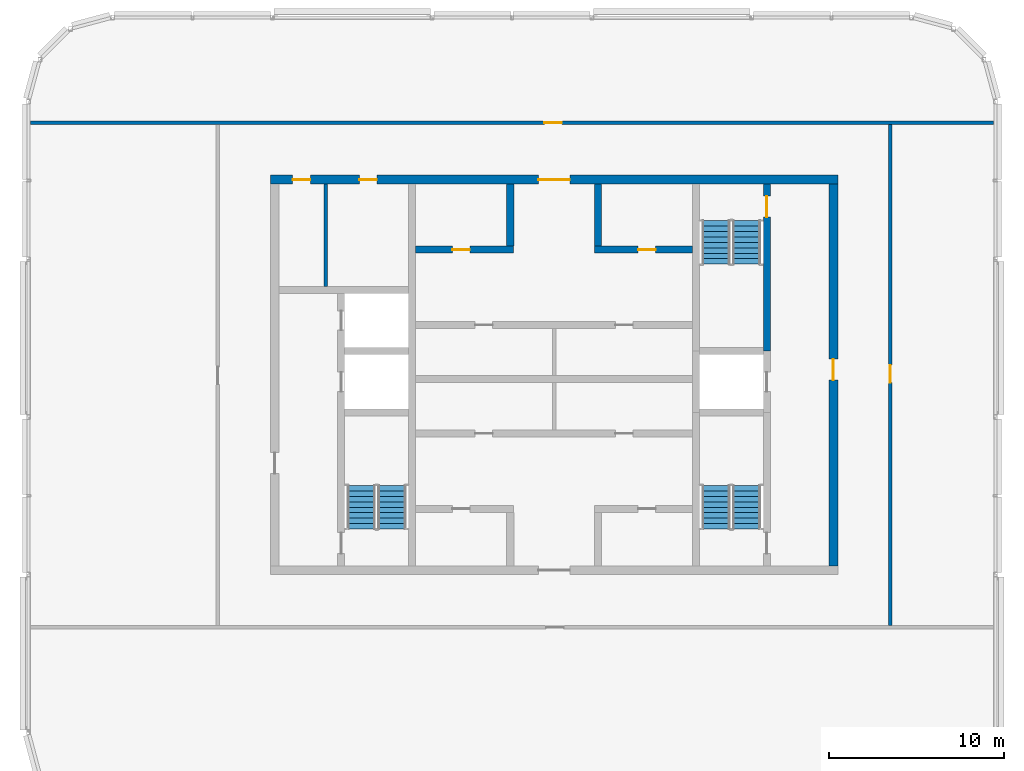
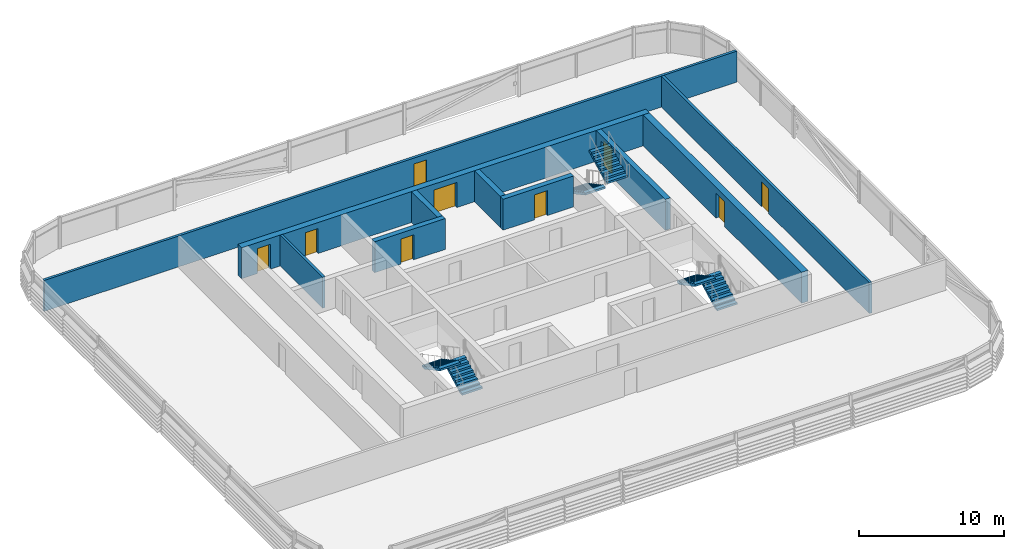
# One storey, part 16 of 27: 10 walls, 9 doors, 6 stair flights, 9 openings, 3 elements without a shape of their own.
"""IFC4 building model written with IfcOpenShell, lengths in metres."""

from ifc_helpers import new_model, si_unit, direction, frame, frame_2d, origin, place, context, subcontext, project, spatial, polyline, rectangle, outline, extrude, material, layer, layer_set, type_object, element, fill, aggregate, save


model = new_model("IFC4")

# Units and contexts
model_context = context("Model", 3, precision=1e-05, world=origin(), true_north=direction((0.0, 1.0)))
body_context = subcontext(model_context, "Body", "Model", "MODEL_VIEW")
ifc_project = project(units=[si_unit("LENGTHUNIT", "METRE"), si_unit("AREAUNIT", "SQUARE_METRE"), si_unit("VOLUMEUNIT", "CUBIC_METRE"), si_unit("PLANEANGLEUNIT", "RADIAN"), si_unit("MASSUNIT", "GRAM", prefix="KILO")], contexts=[model_context])

# Site, building, storey
site_placement = place(None, origin())
site = spatial("IfcSite", under=ifc_project, at=site_placement, CompositionType="ELEMENT")
building_placement = place(site_placement, origin())
building = spatial("IfcBuilding", under=site, at=building_placement, Name="Madar Terraces", CompositionType="ELEMENT")
storey_placement = place(building_placement, frame((0.0, 0.0, 314.300048828125)))
storey = spatial("IfcBuildingStorey", under=building, at=storey_placement, Name="L81", CompositionType="ELEMENT", Elevation=314.300048828125)

# Wall, opening, door
ifc_material_1 = material(Name="Concrete C50/60", Category="concrete")
ifc_layer_1 = layer(ifc_material_1, 0.39990234375)
ifc_layer_set_1 = layer_set([ifc_layer_1], Name="Concrete C50/60 (CIW6 RC wall 400)")
wall_type_1 = type_object("IfcWallType", Name="CIW6 RC wall 400", PredefinedType="SHEAR", material=ifc_layer_set_1)
wall_1_placement = place(storey_placement, frame((43.35009765625, 27.75, 0.0), z_axis=(0.0, 0.0, 1.0), x_axis=(0.0, 1.0, 0.0)))
wall_1 = element("IfcWall", 1, at=wall_1_placement, inside=storey, type_object=wall_type_1, Name="CORE SHAFT WALL", PredefinedType="SHEAR", context=body_context, shape_type="SweptSolid", body=[
    extrude(rectangle(XDim=9.550048828125, YDim=0.39990234375, at=frame_2d((4.77490234375, 0.0))), origin(), (0.0, 0.0, 1.0), 2.599853515625),
])
opening_1_placement = place(wall_1_placement, frame((7.64990234375, 0.0, 0.0)))
opening_1 = element("IfcOpeningElement", 2, at=opening_1_placement, cuts=wall_1, Name="Opening SD1", PredefinedType="OPENING", context=body_context, shape_type="SweptSolid", body=[
    extrude(rectangle(XDim=1.199951171875, YDim=2.10009765625, at=frame_2d((0.60009765625, 1.050048828125))), frame((0.0, 0.2099609375, 0.0), z_axis=(0.0, -1.0, 0.0), x_axis=(1.0, 0.0, 0.0)), (0.0, 0.0, 1.0), 0.419921875),
])
ifc_material_2 = material(Name="Steel door leaf", Category="steel")
door_type_1 = type_object("IfcDoorType", Name="Stair door 1200 x 2100", OperationType="NOTDEFINED", PredefinedType="DOOR", material=ifc_material_2)
door_1_placement = place(opening_1_placement, origin())
door_1 = element("IfcDoor", 3, at=door_1_placement, inside=storey, type_object=door_type_1, Name="STAIR DOOR", OperationType="SINGLE_SWING_LEFT", OverallHeight=2.10009765625, OverallWidth=1.199951171875, PredefinedType="DOOR", context=body_context, shape_type="SweptSolid", body=[
    extrude(rectangle(XDim=1.199951171875, YDim=2.10009765625, at=frame_2d((0.60009765625, 1.050048828125))), frame((0.0, 0.02490234375, 0.0), z_axis=(0.0, -1.0, 0.0), x_axis=(1.0, 0.0, 0.0)), (0.0, 0.0, 1.0), 0.050048828125),
])
fill(opening_1, door_1)

wall_2_placement = place(storey_placement, frame((23.300048828125, 33.550048828125, 0.0), z_axis=(0.0, 0.0, 1.0), x_axis=(1.0, 0.0, 0.0)))
wall_2 = element("IfcWall", 4, at=wall_2_placement, inside=storey, type_object=wall_type_1, Name="CORE SHAFT WALL", PredefinedType="SHEAR", context=body_context, shape_type="SweptSolid", body=[
    extrude(rectangle(XDim=5.599853515625, YDim=0.39990234375, at=frame_2d((2.7998046875, 0.0))), origin(), (0.0, 0.0, 1.0), 2.599853515625),
])
opening_2_placement = place(wall_2_placement, frame((2.10009765625, 0.0, 0.0)))
opening_2 = element("IfcOpeningElement", 5, at=opening_2_placement, cuts=wall_2, Name="Opening KD2", PredefinedType="OPENING", context=body_context, shape_type="SweptSolid", body=[
    extrude(rectangle(XDim=1.0, YDim=2.10009765625, at=frame_2d((0.5, 1.050048828125))), frame((0.0, 0.2099609375, 0.0), z_axis=(0.0, -1.0, 0.0), x_axis=(1.0, 0.0, 0.0)), (0.0, 0.0, 1.0), 0.419921875),
])
ifc_material_3 = material(Name="Steel door leaf", Category="steel")
door_type_2 = type_object("IfcDoorType", Name="Service room door 1000 x 2100", OperationType="NOTDEFINED", PredefinedType="DOOR", material=ifc_material_3)
door_2_placement = place(opening_2_placement, frame((1.0, 0.0, 0.0), z_axis=(0.0, 0.0, 1.0), x_axis=(-1.0, 0.0, 0.0)))
door_2 = element("IfcDoor", 6, at=door_2_placement, inside=storey, type_object=door_type_2, Name="SERVICE ROOM DOOR", OperationType="SINGLE_SWING_RIGHT", OverallHeight=2.10009765625, OverallWidth=1.0, PredefinedType="DOOR", context=body_context, shape_type="SweptSolid", body=[
    extrude(rectangle(XDim=1.0, YDim=2.10009765625, at=frame_2d((0.5, 1.050048828125))), frame((0.0, 0.02490234375, 0.0), z_axis=(0.0, -1.0, 0.0), x_axis=(1.0, 0.0, 0.0)), (0.0, 0.0, 1.0), 0.050048828125),
])
fill(opening_2, door_2)

wall_3_placement = place(storey_placement, frame((33.5, 33.550048828125, 0.0), z_axis=(0.0, 0.0, 1.0), x_axis=(1.0, 0.0, 0.0)))
wall_3 = element("IfcWall", 7, at=wall_3_placement, inside=storey, type_object=wall_type_1, Name="CORE SHAFT WALL", PredefinedType="SHEAR", context=body_context, shape_type="SweptSolid", body=[
    extrude(rectangle(XDim=5.60009765625, YDim=0.39990234375, at=frame_2d((2.800048828125, 0.0))), origin(), (0.0, 0.0, 1.0), 2.599853515625),
])
opening_3_placement = place(wall_3_placement, frame((2.5, 0.0, 0.0)))
opening_3 = element("IfcOpeningElement", 8, at=opening_3_placement, cuts=wall_3, Name="Opening KD2", PredefinedType="OPENING", context=body_context, shape_type="SweptSolid", body=[
    extrude(rectangle(XDim=1.0, YDim=2.10009765625, at=frame_2d((0.5, 1.050048828125))), frame((0.0, 0.2099609375, 0.0), z_axis=(0.0, -1.0, 0.0), x_axis=(1.0, 0.0, 0.0)), (0.0, 0.0, 1.0), 0.419921875),
])
door_3_placement = place(opening_3_placement, frame((1.0, 0.0, 0.0), z_axis=(0.0, 0.0, 1.0), x_axis=(-1.0, 0.0, 0.0)))
door_3 = element("IfcDoor", 9, at=door_3_placement, inside=storey, type_object=door_type_2, Name="SERVICE ROOM DOOR", OperationType="SINGLE_SWING_LEFT", OverallHeight=2.10009765625, OverallWidth=1.0, PredefinedType="DOOR", context=body_context, shape_type="SweptSolid", body=[
    extrude(rectangle(XDim=1.0, YDim=2.10009765625, at=frame_2d((0.5, 1.050048828125))), frame((0.0, 0.02490234375, 0.0), z_axis=(0.0, -1.0, 0.0), x_axis=(1.0, 0.0, 0.0)), (0.0, 0.0, 1.0), 0.050048828125),
])
fill(opening_3, door_3)

# Walls
for number, where, z_axis, x_axis, name in (
    (10, (28.699951171875, 33.75, 0.0), (0.0, 0.0, 1.0), (0.0, 1.0, 0.0), "CORE SHAFT WALL"),
    (11, (33.699951171875, 33.75, 0.0), (0.0, 0.0, 1.0), (0.0, 1.0, 0.0), "CORE SHAFT WALL"),
):
    element("IfcWall", number, at=place(storey_placement, frame(where, z_axis=z_axis, x_axis=x_axis)), inside=storey, type_object=wall_type_1, Name=name, PredefinedType="SHEAR", context=body_context, shape_type="SweptSolid", body=[
        extrude(rectangle(XDim=3.550048828125, YDim=0.39990234375, at=frame_2d((1.77490234375, 0.0))), origin(), (0.0, 0.0, 1.0), 2.599853515625),
    ])

# Wall, openings, doors
ifc_material_4 = material(Name="Concrete C50/60", Category="concrete")
ifc_layer_2 = layer(ifc_material_4, 0.5)
ifc_layer_set_2 = layer_set([ifc_layer_2], Name="Concrete C50/60 (CRW6 RC wall 500)")
wall_type_2 = type_object("IfcWallType", Name="CRW6 RC wall 500", PredefinedType="SHEAR", material=ifc_layer_set_2)
wall_4_placement = place(storey_placement, frame((15.0, 37.550048828125, 0.0), z_axis=(0.0, 0.0, 1.0), x_axis=(1.0, 0.0, 0.0)))
wall_4 = element("IfcWall", 12, at=wall_4_placement, inside=storey, type_object=wall_type_2, Name="CORE OUTER WALL", PredefinedType="SHEAR", context=body_context, shape_type="SweptSolid", body=[
    extrude(rectangle(XDim=32.39990234375, YDim=0.5, at=frame_2d((16.199951171875, 0.0))), origin(), (0.0, 0.0, 1.0), 2.599853515625),
])
opening_4_placement = place(wall_4_placement, frame((15.300048828125, 0.0, 0.0)))
opening_4 = element("IfcOpeningElement", 13, at=opening_4_placement, cuts=wall_4, Name="Opening KD1", PredefinedType="OPENING", context=body_context, shape_type="SweptSolid", body=[
    extrude(rectangle(XDim=1.800048828125, YDim=2.10009765625, at=frame_2d((0.89990234375, 1.050048828125))), frame((0.0, 0.260009765625, 0.0), z_axis=(0.0, -1.0, 0.0), x_axis=(1.0, 0.0, 0.0)), (0.0, 0.0, 1.0), 0.52001953125),
])
opening_5_placement = place(wall_4_placement, frame((1.281982421875, 0.0, 0.0)))
opening_5 = element("IfcOpeningElement", 14, at=opening_5_placement, cuts=wall_4, Name="Opening KD2", PredefinedType="OPENING", context=body_context, shape_type="SweptSolid", body=[
    extrude(rectangle(XDim=1.0, YDim=2.10009765625, at=frame_2d((0.5, 1.050048828125))), frame((0.0, 0.260009765625, 0.0), z_axis=(0.0, -1.0, 0.0), x_axis=(1.0, 0.0, 0.0)), (0.0, 0.0, 1.0), 0.52001953125),
])
opening_6_placement = place(wall_4_placement, frame((5.08203125, 0.0, 0.0)))
opening_6 = element("IfcOpeningElement", 15, at=opening_6_placement, cuts=wall_4, Name="Opening KD2", PredefinedType="OPENING", context=body_context, shape_type="SweptSolid", body=[
    extrude(rectangle(XDim=1.0, YDim=2.10009765625, at=frame_2d((0.5, 1.050048828125))), frame((0.0, 0.260009765625, 0.0), z_axis=(0.0, -1.0, 0.0), x_axis=(1.0, 0.0, 0.0)), (0.0, 0.0, 1.0), 0.52001953125),
])
ifc_material_5 = material(Name="Steel door leaf", Category="steel")
door_type_3 = type_object("IfcDoorType", Name="Lobby door pair 1800 x 2100", OperationType="DOUBLE_DOOR_SINGLE_SWING", PredefinedType="DOOR", material=ifc_material_5)
door_4_placement = place(opening_4_placement, origin())
door_4 = element("IfcDoor", 16, at=door_4_placement, inside=storey, type_object=door_type_3, Name="LIFT LOBBY DOOR", OperationType="DOUBLE_DOOR_SINGLE_SWING", OverallHeight=2.10009765625, OverallWidth=1.800048828125, PredefinedType="DOOR", context=body_context, shape_type="SweptSolid", body=[
    extrude(rectangle(XDim=1.800048828125, YDim=2.10009765625, at=frame_2d((0.89990234375, 1.050048828125))), frame((0.0, 0.02490234375, 0.0), z_axis=(0.0, -1.0, 0.0), x_axis=(1.0, 0.0, 0.0)), (0.0, 0.0, 1.0), 0.050048828125),
])
fill(opening_4, door_4)
door_5_placement = place(opening_5_placement, origin())
door_5 = element("IfcDoor", 17, at=door_5_placement, inside=storey, type_object=door_type_2, Name="SERVICE ROOM DOOR", OperationType="SINGLE_SWING_RIGHT", OverallHeight=2.10009765625, OverallWidth=1.0, PredefinedType="DOOR", context=body_context, shape_type="SweptSolid", body=[
    extrude(rectangle(XDim=1.0, YDim=2.10009765625, at=frame_2d((0.5, 1.050048828125))), frame((0.0, 0.02490234375, 0.0), z_axis=(0.0, -1.0, 0.0), x_axis=(1.0, 0.0, 0.0)), (0.0, 0.0, 1.0), 0.050048828125),
])
fill(opening_5, door_5)
door_6_placement = place(opening_6_placement, origin())
door_6 = element("IfcDoor", 18, at=door_6_placement, inside=storey, type_object=door_type_2, Name="SERVICE ROOM DOOR", OperationType="SINGLE_SWING_LEFT", OverallHeight=2.10009765625, OverallWidth=1.0, PredefinedType="DOOR", context=body_context, shape_type="SweptSolid", body=[
    extrude(rectangle(XDim=1.0, YDim=2.10009765625, at=frame_2d((0.5, 1.050048828125))), frame((0.0, 0.02490234375, 0.0), z_axis=(0.0, -1.0, 0.0), x_axis=(1.0, 0.0, 0.0)), (0.0, 0.0, 1.0), 0.050048828125),
])
fill(opening_6, door_6)

# Wall, opening, door
wall_5_placement = place(storey_placement, frame((47.14990234375, 15.5, 0.0), z_axis=(0.0, 0.0, 1.0), x_axis=(0.0, 1.0, 0.0)))
wall_5 = element("IfcWall", 19, at=wall_5_placement, inside=storey, type_object=wall_type_2, Name="CORE OUTER WALL", PredefinedType="SHEAR", context=body_context, shape_type="SweptSolid", body=[
    extrude(rectangle(XDim=21.800048828125, YDim=0.5, at=frame_2d((10.89990234375, 0.0))), origin(), (0.0, 0.0, 1.0), 2.599853515625),
])
opening_7_placement = place(wall_5_placement, frame((10.60009765625, 0.0, 0.0)))
opening_7 = element("IfcOpeningElement", 20, at=opening_7_placement, cuts=wall_5, Name="Opening SD1", PredefinedType="OPENING", context=body_context, shape_type="SweptSolid", body=[
    extrude(rectangle(XDim=1.199951171875, YDim=2.10009765625, at=frame_2d((0.60009765625, 1.050048828125))), frame((0.0, 0.260009765625, 0.0), z_axis=(0.0, -1.0, 0.0), x_axis=(1.0, 0.0, 0.0)), (0.0, 0.0, 1.0), 0.52001953125),
])
door_7_placement = place(opening_7_placement, origin())
door_7 = element("IfcDoor", 21, at=door_7_placement, inside=storey, type_object=door_type_1, Name="STAIR DOOR", OperationType="SINGLE_SWING_LEFT", OverallHeight=2.10009765625, OverallWidth=1.199951171875, PredefinedType="DOOR", context=body_context, shape_type="SweptSolid", body=[
    extrude(rectangle(XDim=1.199951171875, YDim=2.10009765625, at=frame_2d((0.60009765625, 1.050048828125))), frame((0.0, 0.02490234375, 0.0), z_axis=(0.0, -1.0, 0.0), x_axis=(1.0, 0.0, 0.0)), (0.0, 0.0, 1.0), 0.050048828125),
])
fill(opening_7, door_7)

# Wall
ifc_material_6 = material(Name="Masonry blockwork", Category="masonry")
ifc_layer_3 = layer(ifc_material_6, 0.199951171875)
ifc_layer_set_3 = layer_set([ifc_layer_3], Name="Core partition 200 blockwork")
wall_type_3 = type_object("IfcWallType", Name="Core partition 200 blockwork", PredefinedType="PARTITIONING", material=ifc_layer_set_3)
wall_6_placement = place(storey_placement, frame((18.1640625, 31.449951171875, 0.0), z_axis=(0.0, 0.0, 1.0), x_axis=(0.0, 1.0, 0.0)))
element("IfcWall", 22, at=wall_6_placement, inside=storey, type_object=wall_type_3, Name="SERVICE ROOM PARTITION", PredefinedType="PARTITIONING", context=body_context, shape_type="SweptSolid", body=[
    extrude(rectangle(XDim=5.85009765625, YDim=0.199951171875, at=frame_2d((2.925048828125, 0.0))), origin(), (0.0, 0.0, 1.0), 2.599853515625),
])

# Wall, opening, door
ifc_material_7 = material(Name="Blockwork", Category="masonry")
ifc_layer_4 = layer(ifc_material_7, 0.199951171875)
ifc_layer_set_4 = layer_set([ifc_layer_4], Name="Partition 200 EI 120")
wall_type_4 = type_object("IfcWallType", Name="Partition 200 EI 120", PredefinedType="PARTITIONING", material=ifc_layer_set_4)
wall_7_placement = place(storey_placement, frame((1.300048828125, 40.800048828125, 0.0), z_axis=(0.0, 0.0, 1.0), x_axis=(1.0, 0.0, 0.0)))
wall_7 = element("IfcWall", 23, at=wall_7_placement, inside=storey, type_object=wall_type_4, Name="Wall COOLING PLANT ROOM", PredefinedType="PARTITIONING", context=body_context, shape_type="SweptSolid", body=[
    extrude(rectangle(XDim=55.0, YDim=0.199951171875, at=frame_2d((27.5, 0.0))), origin(), (0.0, 0.0, 1.0), 2.599853515625),
])
opening_8_placement = place(wall_7_placement, frame((29.35009765625, 0.0, 0.0)))
opening_8 = element("IfcOpeningElement", 24, at=opening_8_placement, cuts=wall_7, Name="Opening D33", PredefinedType="OPENING", context=body_context, shape_type="SweptSolid", body=[
    extrude(rectangle(XDim=1.0, YDim=2.10009765625, at=frame_2d((0.5, 1.050048828125))), frame((0.0, 0.10986328125, 0.0), z_axis=(0.0, -1.0, 0.0), x_axis=(1.0, 0.0, 0.0)), (0.0, 0.0, 1.0), 0.219970703125),
])
ifc_material_8 = material(Name="Timber door leaf, fire-rated", Category="wood")
door_type_4 = type_object("IfcDoorType", Name="Podium door 1000 x 2100 FD90S", OperationType="NOTDEFINED", PredefinedType="DOOR", material=ifc_material_8)
door_8_placement = place(opening_8_placement, origin())
door_8 = element("IfcDoor", 25, at=door_8_placement, inside=storey, type_object=door_type_4, Name="Door COOLING PLANT ROOM / RING CORRIDOR", OperationType="SINGLE_SWING_LEFT", OverallHeight=2.10009765625, OverallWidth=1.0, PredefinedType="DOOR", context=body_context, shape_type="SweptSolid", body=[
    extrude(rectangle(XDim=1.0, YDim=2.10009765625, at=frame_2d((0.5, 1.050048828125))), frame((0.0, 0.02490234375, 0.0), z_axis=(0.0, -1.0, 0.0), x_axis=(1.0, 0.0, 0.0)), (0.0, 0.0, 1.0), 0.050048828125),
])
fill(opening_8, door_8)

wall_8_placement = place(storey_placement, frame((50.39990234375, 40.699951171875, 0.0), z_axis=(0.0, 0.0, 1.0), x_axis=(0.0, -1.0, 0.0)))
wall_8 = element("IfcWall", 26, at=wall_8_placement, inside=storey, type_object=wall_type_4, Name="Wall STORE PLANT ROOM / RING CORRIDOR", PredefinedType="PARTITIONING", context=body_context, shape_type="SweptSolid", body=[
    extrude(rectangle(XDim=28.599853515625, YDim=0.199951171875, at=frame_2d((14.2998046875, 0.0))), origin(), (0.0, 0.0, 1.0), 2.599853515625),
])
opening_9_placement = place(wall_8_placement, frame((13.75, 0.0, 0.0)))
opening_9 = element("IfcOpeningElement", 27, at=opening_9_placement, cuts=wall_8, Name="Opening D33", PredefinedType="OPENING", context=body_context, shape_type="SweptSolid", body=[
    extrude(rectangle(XDim=1.0, YDim=2.10009765625, at=frame_2d((0.5, 1.050048828125))), frame((0.0, 0.10986328125, 0.0), z_axis=(0.0, -1.0, 0.0), x_axis=(1.0, 0.0, 0.0)), (0.0, 0.0, 1.0), 0.219970703125),
])
door_9_placement = place(opening_9_placement, origin())
door_9 = element("IfcDoor", 28, at=door_9_placement, inside=storey, type_object=door_type_4, Name="Door STORE PLANT ROOM / RING CORRIDOR", OperationType="SINGLE_SWING_LEFT", OverallHeight=2.10009765625, OverallWidth=1.0, PredefinedType="DOOR", context=body_context, shape_type="SweptSolid", body=[
    extrude(rectangle(XDim=1.0, YDim=2.10009765625, at=frame_2d((0.5, 1.050048828125))), frame((0.0, 0.02490234375, 0.0), z_axis=(0.0, -1.0, 0.0), x_axis=(1.0, 0.0, 0.0)), (0.0, 0.0, 1.0), 0.050048828125),
])
fill(opening_9, door_9)

# Stair, stair flights
ifc_material_9 = material(Name="Concrete C50/60", Category="concrete")
stair_type_1 = type_object("IfcStairType", Name="Stair ST1 protected exit", PredefinedType="HALF_TURN_STAIR", material=ifc_material_9)
stair_1_placement = place(storey_placement, origin())
stair_1 = element("IfcStair", 29, at=stair_1_placement, inside=storey, type_object=stair_type_1, Name="L81 Protected Exit Stair ST1", PredefinedType="HALF_TURN_STAIR")
ifc_material_10 = material(Name="Concrete C50/60", Category="concrete")
stair_flight_type_1 = type_object("IfcStairFlightType", Name="Stair flight ST1-F1, 1600 wide, 9 risers", PredefinedType="STRAIGHT", material=ifc_material_10)
stair_flight_1_placement = place(storey_placement, frame((21.949951171875, 17.60009765625, 0.0), z_axis=(0.0, 0.0, 1.0), x_axis=(0.0, 1.0, 0.0)))
stair_flight_1 = element("IfcStairFlight", 30, at=stair_flight_1_placement, type_object=stair_flight_type_1, Name="ST1 flight 1", NumberOfRisers=9, NumberOfTreads=8, PredefinedType="STRAIGHT", RiserHeight=0.166666667, TreadLength=0.31, context=body_context, shape_type="SweptSolid", body=[
    extrude(outline(polyline([(0.0, 0.0), (0.0, 0.166748046875), (0.31005859375, 0.166748046875), (0.31005859375, 0.333251953125), (0.6201171875, 0.333251953125), (0.6201171875, 0.5), (0.929931640625, 0.5), (0.929931640625, 0.666748046875), (1.239990234375, 0.666748046875), (1.239990234375, 0.833251953125), (1.550048828125, 0.833251953125), (1.550048828125, 1.0), (1.860107421875, 1.0), (1.860107421875, 1.166748046875), (2.169921875, 1.166748046875), (2.169921875, 1.333251953125), (2.47998046875, 1.333251953125), (2.47998046875, 1.5), (2.47998046875, 1.1630859375), (0.316650390625, 0.0), (0.0, 0.0)])), frame((0.0, 0.800048828125, 0.0), z_axis=(0.0, -1.0, 0.0), x_axis=(1.0, 0.0, 0.0)), (0.0, 0.0, 1.0), 1.60009765625),
])
stair_flight_2_placement = place(storey_placement, frame((20.199951171875, 20.080078125, 1.5), z_axis=(0.0, 0.0, 1.0), x_axis=(0.0, -1.0, 0.0)))
stair_flight_2 = element("IfcStairFlight", 31, at=stair_flight_2_placement, type_object=stair_flight_type_1, Name="ST1 flight 2", NumberOfRisers=9, NumberOfTreads=8, PredefinedType="STRAIGHT", RiserHeight=0.166666667, TreadLength=0.31, context=body_context, shape_type="SweptSolid", body=[
    extrude(outline(polyline([(0.0, 0.0), (0.0, 0.166748046875), (0.31005859375, 0.166748046875), (0.31005859375, 0.333251953125), (0.6201171875, 0.333251953125), (0.6201171875, 0.5), (0.929931640625, 0.5), (0.929931640625, 0.666748046875), (1.239990234375, 0.666748046875), (1.239990234375, 0.833251953125), (1.550048828125, 0.833251953125), (1.550048828125, 1.0), (1.860107421875, 1.0), (1.860107421875, 1.166748046875), (2.169921875, 1.166748046875), (2.169921875, 1.333251953125), (2.47998046875, 1.333251953125), (2.47998046875, 1.5), (2.47998046875, 1.1630859375), (0.316650390625, 0.0), (0.0, 0.0)])), frame((0.0, 0.800048828125, 0.0), z_axis=(0.0, -1.0, 0.0), x_axis=(1.0, 0.0, 0.0)), (0.0, 0.0, 1.0), 1.60009765625),
])
aggregate(stair_1, [stair_flight_1, stair_flight_2])

ifc_material_11 = material(Name="Concrete C50/60", Category="concrete")
stair_type_2 = type_object("IfcStairType", Name="Stair ST2 protected exit", PredefinedType="HALF_TURN_STAIR", material=ifc_material_11)
stair_2_placement = place(storey_placement, origin())
stair_2 = element("IfcStair", 32, at=stair_2_placement, inside=storey, type_object=stair_type_2, Name="L81 Protected Exit Stair ST2", PredefinedType="HALF_TURN_STAIR")
ifc_material_12 = material(Name="Concrete C50/60", Category="concrete")
stair_flight_type_2 = type_object("IfcStairFlightType", Name="Stair flight ST2-F7, 1600 wide, 9 risers", PredefinedType="STRAIGHT", material=ifc_material_12)
stair_flight_3_placement = place(storey_placement, frame((40.449951171875, 35.199951171875, 0.0), z_axis=(0.0, 0.0, 1.0), x_axis=(0.0, -1.0, 0.0)))
stair_flight_3 = element("IfcStairFlight", 33, at=stair_flight_3_placement, type_object=stair_flight_type_2, Name="ST2 flight 1", NumberOfRisers=9, NumberOfTreads=8, PredefinedType="STRAIGHT", RiserHeight=0.166666667, TreadLength=0.31, context=body_context, shape_type="SweptSolid", body=[
    extrude(outline(polyline([(0.0, 0.0), (0.0, 0.166748046875), (0.31005859375, 0.166748046875), (0.31005859375, 0.333251953125), (0.6201171875, 0.333251953125), (0.6201171875, 0.5), (0.929931640625, 0.5), (0.929931640625, 0.666748046875), (1.239990234375, 0.666748046875), (1.239990234375, 0.833251953125), (1.550048828125, 0.833251953125), (1.550048828125, 1.0), (1.860107421875, 1.0), (1.860107421875, 1.166748046875), (2.169921875, 1.166748046875), (2.169921875, 1.333251953125), (2.47998046875, 1.333251953125), (2.47998046875, 1.5), (2.47998046875, 1.1630859375), (0.316650390625, 0.0), (0.0, 0.0)])), frame((0.0, 0.800048828125, 0.0), z_axis=(0.0, -1.0, 0.0), x_axis=(1.0, 0.0, 0.0)), (0.0, 0.0, 1.0), 1.60009765625),
])
stair_flight_4_placement = place(storey_placement, frame((42.199951171875, 32.719970703125, 1.5), z_axis=(0.0, 0.0, 1.0), x_axis=(0.0, 1.0, 0.0)))
stair_flight_4 = element("IfcStairFlight", 34, at=stair_flight_4_placement, type_object=stair_flight_type_2, Name="ST2 flight 2", NumberOfRisers=9, NumberOfTreads=8, PredefinedType="STRAIGHT", RiserHeight=0.166666667, TreadLength=0.31, context=body_context, shape_type="SweptSolid", body=[
    extrude(outline(polyline([(0.0, 0.0), (0.0, 0.166748046875), (0.31005859375, 0.166748046875), (0.31005859375, 0.333251953125), (0.6201171875, 0.333251953125), (0.6201171875, 0.5), (0.929931640625, 0.5), (0.929931640625, 0.666748046875), (1.239990234375, 0.666748046875), (1.239990234375, 0.833251953125), (1.550048828125, 0.833251953125), (1.550048828125, 1.0), (1.860107421875, 1.0), (1.860107421875, 1.166748046875), (2.169921875, 1.166748046875), (2.169921875, 1.333251953125), (2.47998046875, 1.333251953125), (2.47998046875, 1.5), (2.47998046875, 1.1630859375), (0.316650390625, 0.0), (0.0, 0.0)])), frame((0.0, 0.800048828125, 0.0), z_axis=(0.0, -1.0, 0.0), x_axis=(1.0, 0.0, 0.0)), (0.0, 0.0, 1.0), 1.60009765625),
])
aggregate(stair_2, [stair_flight_3, stair_flight_4])

ifc_material_13 = material(Name="Concrete C50/60", Category="concrete")
stair_type_3 = type_object("IfcStairType", Name="Stair ST3 protected exit", PredefinedType="HALF_TURN_STAIR", material=ifc_material_13)
stair_3_placement = place(storey_placement, origin())
stair_3 = element("IfcStair", 35, at=stair_3_placement, inside=storey, type_object=stair_type_3, Name="L81 Protected Exit Stair ST3", PredefinedType="HALF_TURN_STAIR")
ifc_material_14 = material(Name="Concrete C50/60", Category="concrete")
stair_flight_type_3 = type_object("IfcStairFlightType", Name="Stair flight ST3-F1, 1600 wide, 9 risers", PredefinedType="STRAIGHT", material=ifc_material_14)
stair_flight_5_placement = place(storey_placement, frame((42.199951171875, 17.60009765625, 0.0), z_axis=(0.0, 0.0, 1.0), x_axis=(0.0, 1.0, 0.0)))
stair_flight_5 = element("IfcStairFlight", 36, at=stair_flight_5_placement, type_object=stair_flight_type_3, Name="ST3 flight 1", NumberOfRisers=9, NumberOfTreads=8, PredefinedType="STRAIGHT", RiserHeight=0.166666667, TreadLength=0.31, context=body_context, shape_type="SweptSolid", body=[
    extrude(outline(polyline([(0.0, 0.0), (0.0, 0.166748046875), (0.31005859375, 0.166748046875), (0.31005859375, 0.333251953125), (0.6201171875, 0.333251953125), (0.6201171875, 0.5), (0.929931640625, 0.5), (0.929931640625, 0.666748046875), (1.239990234375, 0.666748046875), (1.239990234375, 0.833251953125), (1.550048828125, 0.833251953125), (1.550048828125, 1.0), (1.860107421875, 1.0), (1.860107421875, 1.166748046875), (2.169921875, 1.166748046875), (2.169921875, 1.333251953125), (2.47998046875, 1.333251953125), (2.47998046875, 1.5), (2.47998046875, 1.1630859375), (0.316650390625, 0.0), (0.0, 0.0)])), frame((0.0, 0.800048828125, 0.0), z_axis=(0.0, -1.0, 0.0), x_axis=(1.0, 0.0, 0.0)), (0.0, 0.0, 1.0), 1.60009765625),
])
stair_flight_6_placement = place(storey_placement, frame((40.449951171875, 20.080078125, 1.5), z_axis=(0.0, 0.0, 1.0), x_axis=(0.0, -1.0, 0.0)))
stair_flight_6 = element("IfcStairFlight", 37, at=stair_flight_6_placement, type_object=stair_flight_type_3, Name="ST3 flight 2", NumberOfRisers=9, NumberOfTreads=8, PredefinedType="STRAIGHT", RiserHeight=0.166666667, TreadLength=0.31, context=body_context, shape_type="SweptSolid", body=[
    extrude(outline(polyline([(0.0, 0.0), (0.0, 0.166748046875), (0.31005859375, 0.166748046875), (0.31005859375, 0.333251953125), (0.6201171875, 0.333251953125), (0.6201171875, 0.5), (0.929931640625, 0.5), (0.929931640625, 0.666748046875), (1.239990234375, 0.666748046875), (1.239990234375, 0.833251953125), (1.550048828125, 0.833251953125), (1.550048828125, 1.0), (1.860107421875, 1.0), (1.860107421875, 1.166748046875), (2.169921875, 1.166748046875), (2.169921875, 1.333251953125), (2.47998046875, 1.333251953125), (2.47998046875, 1.5), (2.47998046875, 1.1630859375), (0.316650390625, 0.0), (0.0, 0.0)])), frame((0.0, 0.800048828125, 0.0), z_axis=(0.0, -1.0, 0.0), x_axis=(1.0, 0.0, 0.0)), (0.0, 0.0, 1.0), 1.60009765625),
])
aggregate(stair_3, [stair_flight_5, stair_flight_6])

save(model, "model.ifc")
